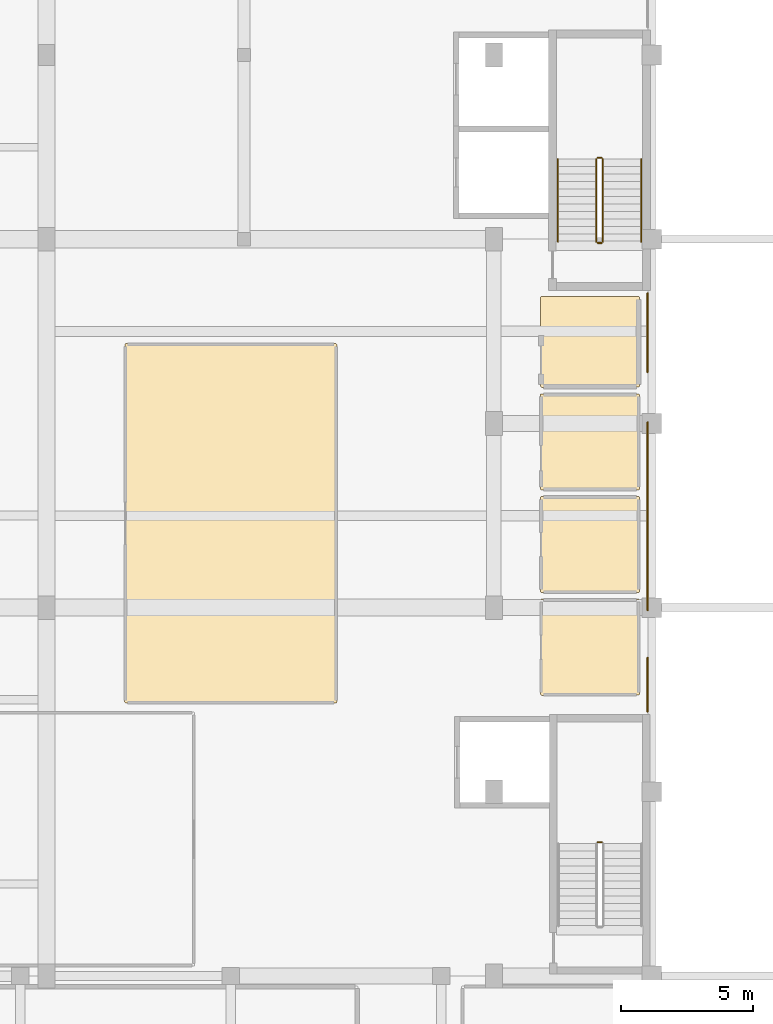
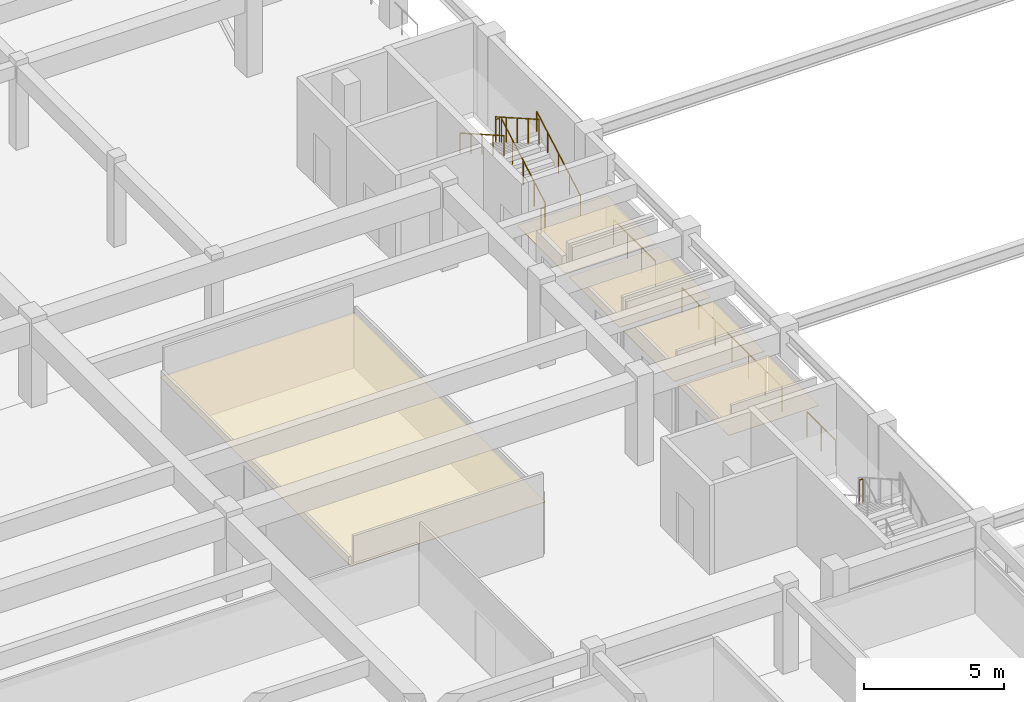
# One storey, part 96 of 98: 10 railings, 5 coverings.
"""IFC4 building model written with IfcOpenShell, lengths in metres."""

from ifc_helpers import new_model, si_unit, direction, frame, origin, origin_2d, place, context, subcontext, project, spatial, polyline, circle, outline, extrude, material, layer, layer_set, type_object, element, save


model = new_model("IFC4")

# Units and contexts
model_context = context("Model", 3, precision=1e-05, world=origin(), true_north=direction((0.0, 1.0)))
body_context = subcontext(model_context, "Body", "Model", "MODEL_VIEW")
ifc_project = project(units=[si_unit("LENGTHUNIT", "METRE"), si_unit("AREAUNIT", "SQUARE_METRE"), si_unit("VOLUMEUNIT", "CUBIC_METRE"), si_unit("PLANEANGLEUNIT", "RADIAN"), si_unit("MASSUNIT", "GRAM", prefix="KILO")], contexts=[model_context])

# Site, building, storey
site_placement = place(None, origin())
site = spatial("IfcSite", under=ifc_project, at=site_placement, CompositionType="ELEMENT")
building_placement = place(site_placement, origin())
building = spatial("IfcBuilding", under=site, at=building_placement, Name="Larkveld Mobility Hub", CompositionType="ELEMENT")
storey_placement = place(building_placement, frame((0.0, 0.0, 4.5)))
storey = spatial("IfcBuildingStorey", under=building, at=storey_placement, Name="L01", CompositionType="ELEMENT", Elevation=4.5)

# Coverings
ifc_material_1 = material(Name="Perforated mineral-fibre acoustic ceiling", Category="masonry")
ifc_layer_1 = layer(ifc_material_1, 0.02001953125, Name="Perforated mineral-fibre acoustic ceiling", Category="masonry")
ifc_layer_set_1 = layer_set([ifc_layer_1], Name="Perforated mineral-fibre acoustic ceiling")
covering_type_1 = type_object("IfcCoveringType", Name="CV-CLG-020", PredefinedType="CEILING", material=ifc_layer_set_1)
covering_1_placement = place(storey_placement, frame((0.0, 0.0, 2.330078125)))
element("IfcCovering", 1, at=covering_1_placement, inside=storey, type_object=covering_type_1, Name="Male Public Toilet Acoustic Ceiling 012", PredefinedType="CEILING", context=body_context, shape_type="SweptSolid", body=[
    extrude(outline(polyline([(147.820068359375, 38.669921875), (147.81689453125, 38.669921875), (147.81396484375, 38.6708984375), (147.81103515625, 38.6708984375), (147.80908203125, 38.672119140625), (147.805908203125, 38.674072265625), (147.802978515625, 38.675048828125), (147.801025390625, 38.677001953125), (147.799072265625, 38.678955078125), (147.779052734375, 38.698974609375), (147.777099609375, 38.700927734375), (147.77490234375, 38.702880859375), (147.77392578125, 38.7060546875), (147.77197265625, 38.708984375), (147.77099609375, 38.7109375), (147.77099609375, 38.714111328125), (147.77001953125, 38.717041015625), (147.77001953125, 38.719970703125), (147.77587890625, 42.2939453125), (147.77587890625, 42.297119140625), (147.77587890625, 42.300048828125), (147.777099609375, 42.302978515625), (147.778076171875, 42.305908203125), (147.779052734375, 42.30810546875), (147.781005859375, 42.31103515625), (147.782958984375, 42.31298828125), (147.784912109375, 42.31494140625), (147.787109375, 42.31689453125), (147.7890625, 42.319091796875), (147.7919921875, 42.321044921875), (147.7939453125, 42.322021484375), (147.797119140625, 42.322998046875), (147.800048828125, 42.323974609375), (147.802978515625, 42.323974609375), (147.805908203125, 42.323974609375), (151.493896484375, 42.323974609375), (151.4970703125, 42.323974609375), (151.5, 42.323974609375), (151.5029296875, 42.322998046875), (151.506103515625, 42.322021484375), (151.508056640625, 42.321044921875), (151.510986328125, 42.319091796875), (151.512939453125, 42.31689453125), (151.514892578125, 42.31494140625), (151.51708984375, 42.31298828125), (151.51904296875, 42.31103515625), (151.52099609375, 42.30810546875), (151.52197265625, 42.305908203125), (151.52294921875, 42.302978515625), (151.52392578125, 42.300048828125), (151.52392578125, 42.297119140625), (151.52392578125, 42.2939453125), (151.52392578125, 38.7060546875), (151.52392578125, 38.702880859375), (151.52392578125, 38.699951171875), (151.52294921875, 38.697021484375), (151.52197265625, 38.694091796875), (151.52099609375, 38.69189453125), (151.51904296875, 38.68896484375), (151.51708984375, 38.68701171875), (151.514892578125, 38.68505859375), (151.512939453125, 38.68310546875), (151.510986328125, 38.680908203125), (151.508056640625, 38.678955078125), (151.506103515625, 38.677978515625), (151.5029296875, 38.677001953125), (151.5, 38.676025390625), (151.4970703125, 38.676025390625), (151.493896484375, 38.676025390625), (147.820068359375, 38.669921875)])), origin(), (0.0, 0.0, 1.0), 0.02001953125),
])
covering_2_placement = place(storey_placement, frame((0.0, 0.0, 2.330078125)))
element("IfcCovering", 2, at=covering_2_placement, inside=storey, type_object=covering_type_1, Name="Accessible Unisex Toilet Acoustic Ceiling 014", PredefinedType="CEILING", context=body_context, shape_type="SweptSolid", body=[
    extrude(outline(polyline([(147.820068359375, 46.469970703125), (147.81689453125, 46.469970703125), (147.81396484375, 46.470947265625), (147.81103515625, 46.470947265625), (147.80908203125, 46.471923828125), (147.805908203125, 46.47412109375), (147.802978515625, 46.47509765625), (147.801025390625, 46.47705078125), (147.799072265625, 46.47900390625), (147.779052734375, 46.4990234375), (147.777099609375, 46.5009765625), (147.77490234375, 46.5029296875), (147.77392578125, 46.506103515625), (147.77197265625, 46.509033203125), (147.77099609375, 46.510986328125), (147.77099609375, 46.513916015625), (147.77001953125, 46.51708984375), (147.77001953125, 46.52001953125), (147.77587890625, 50.093994140625), (147.77587890625, 50.096923828125), (147.77587890625, 50.10009765625), (147.777099609375, 50.10302734375), (147.778076171875, 50.10595703125), (147.779052734375, 50.10791015625), (147.781005859375, 50.111083984375), (147.782958984375, 50.113037109375), (147.784912109375, 50.114990234375), (147.787109375, 50.116943359375), (147.7890625, 50.118896484375), (147.7919921875, 50.12109375), (147.7939453125, 50.1220703125), (147.797119140625, 50.123046875), (147.800048828125, 50.1240234375), (147.802978515625, 50.1240234375), (147.805908203125, 50.1240234375), (151.493896484375, 50.1240234375), (151.4970703125, 50.1240234375), (151.5, 50.1240234375), (151.5029296875, 50.123046875), (151.506103515625, 50.1220703125), (151.508056640625, 50.12109375), (151.510986328125, 50.118896484375), (151.512939453125, 50.116943359375), (151.514892578125, 50.114990234375), (151.51708984375, 50.113037109375), (151.51904296875, 50.111083984375), (151.52099609375, 50.10791015625), (151.52197265625, 50.10595703125), (151.52294921875, 50.10302734375), (151.52392578125, 50.10009765625), (151.52392578125, 50.096923828125), (151.52392578125, 50.093994140625), (151.52392578125, 46.506103515625), (151.52392578125, 46.5029296875), (151.52392578125, 46.5), (151.52294921875, 46.4970703125), (151.52197265625, 46.493896484375), (151.52099609375, 46.491943359375), (151.51904296875, 46.489013671875), (151.51708984375, 46.487060546875), (151.514892578125, 46.485107421875), (151.512939453125, 46.48291015625), (151.510986328125, 46.48095703125), (151.508056640625, 46.47900390625), (151.506103515625, 46.47802734375), (151.5029296875, 46.47705078125), (151.5, 46.47607421875), (151.4970703125, 46.47607421875), (151.493896484375, 46.47607421875), (147.820068359375, 46.469970703125)])), origin(), (0.0, 0.0, 1.0), 0.02001953125),
])
ifc_material_2 = material(Name="Moisture-resistant gypsum board ceiling", Category="masonry")
ifc_layer_2 = layer(ifc_material_2, 0.02490234375, Name="Moisture-resistant gypsum board ceiling", Category="masonry")
ifc_layer_set_2 = layer_set([ifc_layer_2], Name="Moisture-resistant gypsum board ceiling")
covering_type_2 = type_object("IfcCoveringType", Name="CV-CLG-025", PredefinedType="CEILING", material=ifc_layer_set_2)
covering_3_placement = place(storey_placement, frame((0.0, 0.0, 2.324951171875)))
element("IfcCovering", 3, at=covering_3_placement, inside=storey, type_object=covering_type_2, Name="Female Public Toilet Acoustic Ceiling 013", PredefinedType="CEILING", context=body_context, shape_type="SweptSolid", body=[
    extrude(outline(polyline([(147.820068359375, 42.570068359375), (147.81689453125, 42.570068359375), (147.81396484375, 42.571044921875), (147.81103515625, 42.571044921875), (147.80908203125, 42.572021484375), (147.805908203125, 42.573974609375), (147.802978515625, 42.574951171875), (147.801025390625, 42.576904296875), (147.799072265625, 42.5791015625), (147.779052734375, 42.59912109375), (147.777099609375, 42.60107421875), (147.77490234375, 42.60302734375), (147.77392578125, 42.60595703125), (147.77197265625, 42.60888671875), (147.77099609375, 42.611083984375), (147.77099609375, 42.614013671875), (147.77001953125, 42.616943359375), (147.77001953125, 42.6201171875), (147.77587890625, 46.194091796875), (147.77587890625, 46.197021484375), (147.77587890625, 46.199951171875), (147.777099609375, 46.202880859375), (147.778076171875, 46.2060546875), (147.779052734375, 46.2080078125), (147.781005859375, 46.2109375), (147.782958984375, 46.212890625), (147.784912109375, 46.215087890625), (147.787109375, 46.217041015625), (147.7890625, 46.218994140625), (147.7919921875, 46.220947265625), (147.7939453125, 46.221923828125), (147.797119140625, 46.222900390625), (147.800048828125, 46.22412109375), (147.802978515625, 46.22412109375), (147.805908203125, 46.22412109375), (151.493896484375, 46.22412109375), (151.4970703125, 46.22412109375), (151.5, 46.22412109375), (151.5029296875, 46.222900390625), (151.506103515625, 46.221923828125), (151.508056640625, 46.220947265625), (151.510986328125, 46.218994140625), (151.512939453125, 46.217041015625), (151.514892578125, 46.215087890625), (151.51708984375, 46.212890625), (151.51904296875, 46.2109375), (151.52099609375, 46.2080078125), (151.52197265625, 46.2060546875), (151.52294921875, 46.202880859375), (151.52392578125, 46.199951171875), (151.52392578125, 46.197021484375), (151.52392578125, 46.194091796875), (151.52392578125, 42.60595703125), (151.52392578125, 42.60302734375), (151.52392578125, 42.60009765625), (151.52294921875, 42.596923828125), (151.52197265625, 42.593994140625), (151.52099609375, 42.592041015625), (151.51904296875, 42.589111328125), (151.51708984375, 42.5869140625), (151.514892578125, 42.5849609375), (151.512939453125, 42.5830078125), (151.510986328125, 42.5810546875), (151.508056640625, 42.5791015625), (151.506103515625, 42.577880859375), (151.5029296875, 42.576904296875), (151.5, 42.575927734375), (151.4970703125, 42.575927734375), (151.493896484375, 42.575927734375), (147.820068359375, 42.570068359375)])), origin(), (0.0, 0.0, 1.0), 0.025146484375),
])
covering_4_placement = place(storey_placement, frame((0.0, 0.0, 2.324951171875)))
element("IfcCovering", 4, at=covering_4_placement, inside=storey, type_object=covering_type_2, Name="Cleaners Store Room Acoustic Ceiling 015", PredefinedType="CEILING", context=body_context, shape_type="SweptSolid", body=[
    extrude(outline(polyline([(147.820068359375, 50.3701171875), (147.81689453125, 50.3701171875), (147.81396484375, 50.37109375), (147.81103515625, 50.37109375), (147.80908203125, 50.3720703125), (147.805908203125, 50.3740234375), (147.802978515625, 50.375), (147.801025390625, 50.376953125), (147.799072265625, 50.37890625), (147.779052734375, 50.39892578125), (147.777099609375, 50.40087890625), (147.77490234375, 50.403076171875), (147.77392578125, 50.406005859375), (147.77197265625, 50.408935546875), (147.77099609375, 50.410888671875), (147.77099609375, 50.4140625), (147.77001953125, 50.4169921875), (147.77001953125, 50.419921875), (147.77587890625, 53.7939453125), (147.77587890625, 53.797119140625), (147.77587890625, 53.800048828125), (147.777099609375, 53.802978515625), (147.778076171875, 53.805908203125), (147.779052734375, 53.80810546875), (147.781005859375, 53.81103515625), (147.782958984375, 53.81298828125), (147.784912109375, 53.81494140625), (147.787109375, 53.81689453125), (147.7890625, 53.819091796875), (147.7919921875, 53.821044921875), (147.7939453125, 53.822021484375), (147.797119140625, 53.822998046875), (147.800048828125, 53.823974609375), (147.802978515625, 53.823974609375), (147.805908203125, 53.823974609375), (151.493896484375, 53.823974609375), (151.4970703125, 53.823974609375), (151.5, 53.823974609375), (151.5029296875, 53.822998046875), (151.506103515625, 53.822021484375), (151.508056640625, 53.821044921875), (151.510986328125, 53.819091796875), (151.512939453125, 53.81689453125), (151.514892578125, 53.81494140625), (151.51708984375, 53.81298828125), (151.51904296875, 53.81103515625), (151.52099609375, 53.80810546875), (151.52197265625, 53.805908203125), (151.52294921875, 53.802978515625), (151.52392578125, 53.800048828125), (151.52392578125, 53.797119140625), (151.52392578125, 53.7939453125), (151.52392578125, 50.406005859375), (151.52392578125, 50.403076171875), (151.52392578125, 50.39990234375), (151.52294921875, 50.39697265625), (151.52197265625, 50.39404296875), (151.52099609375, 50.39208984375), (151.51904296875, 50.388916015625), (151.51708984375, 50.386962890625), (151.514892578125, 50.385009765625), (151.512939453125, 50.383056640625), (151.510986328125, 50.381103515625), (151.508056640625, 50.37890625), (151.506103515625, 50.3779296875), (151.5029296875, 50.376953125), (151.5, 50.3759765625), (151.4970703125, 50.3759765625), (151.493896484375, 50.3759765625), (147.820068359375, 50.3701171875)])), origin(), (0.0, 0.0, 1.0), 0.025146484375),
])
covering_5_placement = place(storey_placement, frame((0.0, 0.0, 2.324951171875)))
element("IfcCovering", 5, at=covering_5_placement, inside=storey, type_object=covering_type_2, Name="Transit Convenience Kiosk and Pharmacy Acoustic Ceiling 017", PredefinedType="CEILING", context=body_context, shape_type="SweptSolid", body=[
    extrude(outline(polyline([(132.02001953125, 38.3701171875), (132.01708984375, 38.3701171875), (132.013916015625, 38.37109375), (132.010986328125, 38.37109375), (132.009033203125, 38.3720703125), (132.006103515625, 38.3740234375), (132.0029296875, 38.375), (132.0009765625, 38.376953125), (131.9990234375, 38.37890625), (131.97900390625, 38.39892578125), (131.97705078125, 38.40087890625), (131.97509765625, 38.403076171875), (131.97412109375, 38.406005859375), (131.971923828125, 38.408935546875), (131.970947265625, 38.410888671875), (131.970947265625, 38.4140625), (131.969970703125, 38.4169921875), (131.969970703125, 38.419921875), (131.971923828125, 51.989013671875), (131.972900390625, 51.992919921875), (131.972900390625, 51.99609375), (131.97412109375, 51.9990234375), (131.97509765625, 52.0009765625), (131.97607421875, 52.00390625), (131.97802734375, 52.007080078125), (131.97998046875, 52.009033203125), (131.98193359375, 52.010986328125), (131.98388671875, 52.012939453125), (131.987060546875, 52.014892578125), (132.0048828125, 52.02587890625), (132.007080078125, 52.027099609375), (132.009033203125, 52.028076171875), (132.011962890625, 52.029052734375), (132.014892578125, 52.030029296875), (132.01708984375, 52.030029296875), (132.02001953125, 52.030029296875), (139.989013671875, 52.028076171875), (139.992919921875, 52.027099609375), (139.99609375, 52.027099609375), (139.9990234375, 52.02587890625), (140.0009765625, 52.02490234375), (140.00390625, 52.02392578125), (140.007080078125, 52.02197265625), (140.009033203125, 52.02001953125), (140.010986328125, 52.01806640625), (140.012939453125, 52.01611328125), (140.014892578125, 52.012939453125), (140.02587890625, 51.9951171875), (140.027099609375, 51.992919921875), (140.028076171875, 51.990966796875), (140.029052734375, 51.988037109375), (140.030029296875, 51.985107421875), (140.030029296875, 51.98291015625), (140.030029296875, 51.97998046875), (140.028076171875, 38.410888671875), (140.027099609375, 38.406982421875), (140.027099609375, 38.404052734375), (140.02587890625, 38.40087890625), (140.02490234375, 38.39892578125), (140.02392578125, 38.39599609375), (140.02197265625, 38.39306640625), (140.02001953125, 38.39111328125), (140.01806640625, 38.388916015625), (140.01611328125, 38.386962890625), (140.012939453125, 38.385009765625), (139.9951171875, 38.3740234375), (139.992919921875, 38.373046875), (139.989990234375, 38.3720703125), (139.986083984375, 38.37109375), (139.98291015625, 38.3701171875), (139.97998046875, 38.3701171875), (132.02001953125, 38.3701171875)])), origin(), (0.0, 0.0, 1.0), 0.025146484375),
])

# Railings
ifc_material_3 = material(Name="Galvanized Steel S355JR balustrade", Category="steel")
railing_type_1 = type_object("IfcRailingType", Name="RL-GRD-1100", PredefinedType="GUARDRAIL", material=ifc_material_3)
railing_1_placement = place(storey_placement, frame((150.10009765625, 33.0849609375, 1.949951171875)))
element("IfcRailing", 6, at=railing_1_placement, inside=storey, type_object=railing_type_1, Name="L01 ST1 stair guard 2", PredefinedType="GUARDRAIL", context=body_context, shape_type="SweptSolid", body=[
    extrude(circle(Radius=0.02392578125, at=origin_2d()), frame((0.0, 0.0, 1.076171875), z_axis=(-1.0, 0.0, 0.0), x_axis=(0.0, -1.0, 0.0)), (0.0, 0.0, 1.0), 0.150146484375),
    extrude(circle(Radius=0.02099609375, at=origin_2d()), origin(), (0.0, 0.0, 1.0), 1.052001953125),
    extrude(circle(Radius=0.02099609375, at=origin_2d()), frame((-0.150146484375, 0.0, 0.0)), (0.0, 0.0, 1.0), 1.052001953125),
])
railing_2_placement = place(storey_placement, frame((150.139892578125, 55.909912109375, 0.16259765625)))
element("IfcRailing", 7, at=railing_2_placement, inside=storey, type_object=railing_type_1, Name="L01 ST2 stair guard 1", PredefinedType="GUARDRAIL", context=body_context, shape_type="SweptSolid", body=[
    extrude(circle(Radius=0.02392578125, at=origin_2d()), frame((0.0, 0.0, 1.076171875), z_axis=(0.0, 0.868729823959, 0.495286273749), x_axis=(-1.0, 0.0, 0.0)), (0.0, 0.0, 1.0), 3.608642578125),
    extrude(circle(Radius=0.02099609375, at=origin_2d()), origin(), (0.0, 0.0, 1.0), 1.052001953125),
    extrude(circle(Radius=0.02099609375, at=origin_2d()), frame((0.0, 0.78369140625, 0.44677734375)), (0.0, 0.0, 1.0), 1.052001953125),
    extrude(circle(Radius=0.02099609375, at=origin_2d()), frame((0.0, 1.5673828125, 0.8935546875)), (0.0, 0.0, 1.0), 1.052001953125),
    extrude(circle(Radius=0.02099609375, at=origin_2d()), frame((0.0, 2.351318359375, 1.340576171875)), (0.0, 0.0, 1.0), 1.052001953125),
    extrude(circle(Radius=0.02099609375, at=origin_2d()), frame((0.0, 3.135009765625, 1.787353515625)), (0.0, 0.0, 1.0), 1.052001953125),
])
railing_3_placement = place(storey_placement, frame((150.090087890625, 59.094970703125, 1.949951171875)))
element("IfcRailing", 8, at=railing_3_placement, inside=storey, type_object=railing_type_1, Name="L01 ST2 stair guard 2", PredefinedType="GUARDRAIL", context=body_context, shape_type="SweptSolid", body=[
    extrude(circle(Radius=0.02392578125, at=origin_2d()), frame((0.0, 0.0, 1.076171875), z_axis=(-1.0, 0.0, 0.0), x_axis=(0.0, -1.0, 0.0)), (0.0, 0.0, 1.0), 0.150146484375),
    extrude(circle(Radius=0.02099609375, at=origin_2d()), origin(), (0.0, 0.0, 1.0), 1.052001953125),
    extrude(circle(Radius=0.02099609375, at=origin_2d()), frame((-0.150146484375, 0.0, 0.0)), (0.0, 0.0, 1.0), 1.052001953125),
])
railing_4_placement = place(storey_placement, frame((149.889892578125, 59.044921875, 2.112548828125)))
element("IfcRailing", 9, at=railing_4_placement, inside=storey, type_object=railing_type_1, Name="L01 ST2 stair guard 3", PredefinedType="GUARDRAIL", context=body_context, shape_type="SweptSolid", body=[
    extrude(circle(Radius=0.02392578125, at=origin_2d()), frame((0.0, 0.0, 1.076171875), z_axis=(0.0, -0.868729823959, 0.495286273749), x_axis=(1.0, 0.0, 0.0)), (0.0, 0.0, 1.0), 3.608642578125),
    extrude(circle(Radius=0.02099609375, at=origin_2d()), origin(), (0.0, 0.0, 1.0), 1.052001953125),
    extrude(circle(Radius=0.02099609375, at=origin_2d()), frame((0.0, -0.78369140625, 0.44677734375)), (0.0, 0.0, 1.0), 1.052001953125),
    extrude(circle(Radius=0.02099609375, at=origin_2d()), frame((0.0, -1.5673828125, 0.8935546875)), (0.0, 0.0, 1.0), 1.052001953125),
    extrude(circle(Radius=0.02099609375, at=origin_2d()), frame((0.0, -2.351318359375, 1.340576171875)), (0.0, 0.0, 1.0), 1.052001953125),
    extrude(circle(Radius=0.02099609375, at=origin_2d()), frame((0.0, -3.135009765625, 1.787353515625)), (0.0, 0.0, 1.0), 1.052001953125),
])
railing_5_placement = place(storey_placement, frame((150.090087890625, 55.860107421875, 0.0)))
element("IfcRailing", 10, at=railing_5_placement, inside=storey, type_object=railing_type_1, Name="L01 ST2 stair guard 4", PredefinedType="GUARDRAIL", context=body_context, shape_type="SweptSolid", body=[
    extrude(circle(Radius=0.02392578125, at=origin_2d()), frame((0.0, 0.0, 1.076171875), z_axis=(-1.0, 0.0, 0.0), x_axis=(0.0, -1.0, 0.0)), (0.0, 0.0, 1.0), 0.150146484375),
    extrude(circle(Radius=0.02099609375, at=origin_2d()), origin(), (0.0, 0.0, 1.0), 1.052001953125),
    extrude(circle(Radius=0.02099609375, at=origin_2d()), frame((-0.150146484375, 0.0, 0.0)), (0.0, 0.0, 1.0), 1.052001953125),
])
ifc_material_4 = material(Name="Galvanized Steel S355JR void balustrade", Category="steel")
railing_type_2 = type_object("IfcRailingType", Name="RL-GRD-1120", PredefinedType="GUARDRAIL", material=ifc_material_4)
railing_6_placement = place(storey_placement, frame((151.840087890625, 38.050048828125, 0.0)))
element("IfcRailing", 11, at=railing_6_placement, inside=storey, type_object=railing_type_2, Name="Bus Hall Overlook Guard Seg 1 L01-068", PredefinedType="GUARDRAIL", context=body_context, shape_type="SweptSolid", body=[
    extrude(circle(Radius=0.02392578125, at=origin_2d()), frame((0.0, 0.0, 1.09619140625), z_axis=(0.0, 1.0, 0.0), x_axis=(-1.0, 0.0, 0.0)), (0.0, 0.0, 1.0), 2.050048828125),
    extrude(circle(Radius=0.02099609375, at=origin_2d()), origin(), (0.0, 0.0, 1.0), 1.072021484375),
    extrude(circle(Radius=0.02099609375, at=origin_2d()), frame((0.0, 1.02490234375, 0.0)), (0.0, 0.0, 1.0), 1.072021484375),
    extrude(circle(Radius=0.02099609375, at=origin_2d()), frame((0.0, 2.050048828125, 0.0)), (0.0, 0.0, 1.0), 1.072021484375),
])
railing_7_placement = place(storey_placement, frame((151.840087890625, 41.89990234375, 0.0)))
element("IfcRailing", 12, at=railing_7_placement, inside=storey, type_object=railing_type_2, Name="Bus Hall Overlook Guard Seg 2 L01-069", PredefinedType="GUARDRAIL", context=body_context, shape_type="SweptSolid", body=[
    extrude(circle(Radius=0.02392578125, at=origin_2d()), frame((0.0, 0.0, 1.09619140625), z_axis=(0.0, 1.0, 0.0), x_axis=(-1.0, 0.0, 0.0)), (0.0, 0.0, 1.0), 7.150146484375),
    extrude(circle(Radius=0.02099609375, at=origin_2d()), origin(), (0.0, 0.0, 1.0), 1.072021484375),
    extrude(circle(Radius=0.02099609375, at=origin_2d()), frame((0.0, 1.191650390625, 0.0)), (0.0, 0.0, 1.0), 1.072021484375),
    extrude(circle(Radius=0.02099609375, at=origin_2d()), frame((0.0, 2.38330078125, 0.0)), (0.0, 0.0, 1.0), 1.072021484375),
    extrude(circle(Radius=0.02099609375, at=origin_2d()), frame((0.0, 3.5751953125, 0.0)), (0.0, 0.0, 1.0), 1.072021484375),
    extrude(circle(Radius=0.02099609375, at=origin_2d()), frame((0.0, 4.766845703125, 0.0)), (0.0, 0.0, 1.0), 1.072021484375),
    extrude(circle(Radius=0.02099609375, at=origin_2d()), frame((0.0, 5.95849609375, 0.0)), (0.0, 0.0, 1.0), 1.072021484375),
    extrude(circle(Radius=0.02099609375, at=origin_2d()), frame((0.0, 7.150146484375, 0.0)), (0.0, 0.0, 1.0), 1.072021484375),
])
railing_8_placement = place(storey_placement, frame((151.840087890625, 50.949951171875, 0.0)))
element("IfcRailing", 13, at=railing_8_placement, inside=storey, type_object=railing_type_2, Name="Bus Hall Overlook Guard Seg 3 L01-070", PredefinedType="GUARDRAIL", context=body_context, shape_type="SweptSolid", body=[
    extrude(circle(Radius=0.02392578125, at=origin_2d()), frame((0.0, 0.0, 1.09619140625), z_axis=(0.0, 1.0, 0.0), x_axis=(-1.0, 0.0, 0.0)), (0.0, 0.0, 1.0), 3.0),
    extrude(circle(Radius=0.02099609375, at=origin_2d()), origin(), (0.0, 0.0, 1.0), 1.072021484375),
    extrude(circle(Radius=0.02099609375, at=origin_2d()), frame((0.0, 1.0, 0.0)), (0.0, 0.0, 1.0), 1.072021484375),
    extrude(circle(Radius=0.02099609375, at=origin_2d()), frame((0.0, 2.0, 0.0)), (0.0, 0.0, 1.0), 1.072021484375),
    extrude(circle(Radius=0.02099609375, at=origin_2d()), frame((0.0, 3.0, 0.0)), (0.0, 0.0, 1.0), 1.072021484375),
])
ifc_material_5 = material(Name="Brushed Steel S355JR tubular handrail", Category="steel")
railing_type_3 = type_object("IfcRailingType", Name="RL-HND-0900", PredefinedType="HANDRAIL", material=ifc_material_5)
railing_9_placement = place(storey_placement, frame((151.60009765625, 55.909912109375, 0.16259765625)))
element("IfcRailing", 14, at=railing_9_placement, inside=storey, type_object=railing_type_3, Name="L01 ST2 stair handrail 1", PredefinedType="HANDRAIL", context=body_context, shape_type="SweptSolid", body=[
    extrude(circle(Radius=0.02392578125, at=origin_2d()), frame((0.0, 0.0, 0.8759765625), z_axis=(0.0, 0.868729823959, 0.495286273749), x_axis=(-1.0, 0.0, 0.0)), (0.0, 0.0, 1.0), 3.608642578125),
    extrude(circle(Radius=0.02099609375, at=origin_2d()), origin(), (0.0, 0.0, 1.0), 0.851806640625),
    extrude(circle(Radius=0.02099609375, at=origin_2d()), frame((0.0, 0.78369140625, 0.44677734375)), (0.0, 0.0, 1.0), 0.851806640625),
    extrude(circle(Radius=0.02099609375, at=origin_2d()), frame((0.0, 1.5673828125, 0.8935546875)), (0.0, 0.0, 1.0), 0.851806640625),
    extrude(circle(Radius=0.02099609375, at=origin_2d()), frame((0.0, 2.351318359375, 1.340576171875)), (0.0, 0.0, 1.0), 0.851806640625),
    extrude(circle(Radius=0.02099609375, at=origin_2d()), frame((0.0, 3.135009765625, 1.787353515625)), (0.0, 0.0, 1.0), 0.851806640625),
])
railing_10_placement = place(storey_placement, frame((148.429931640625, 59.044921875, 2.112548828125)))
element("IfcRailing", 15, at=railing_10_placement, inside=storey, type_object=railing_type_3, Name="L01 ST2 stair handrail 2", PredefinedType="HANDRAIL", context=body_context, shape_type="SweptSolid", body=[
    extrude(circle(Radius=0.02392578125, at=origin_2d()), frame((0.0, 0.0, 0.8759765625), z_axis=(0.0, -0.868729823959, 0.495286273749), x_axis=(1.0, 0.0, 0.0)), (0.0, 0.0, 1.0), 3.608642578125),
    extrude(circle(Radius=0.02099609375, at=origin_2d()), origin(), (0.0, 0.0, 1.0), 0.851806640625),
    extrude(circle(Radius=0.02099609375, at=origin_2d()), frame((0.0, -0.78369140625, 0.44677734375)), (0.0, 0.0, 1.0), 0.851806640625),
    extrude(circle(Radius=0.02099609375, at=origin_2d()), frame((0.0, -1.5673828125, 0.8935546875)), (0.0, 0.0, 1.0), 0.851806640625),
    extrude(circle(Radius=0.02099609375, at=origin_2d()), frame((0.0, -2.351318359375, 1.340576171875)), (0.0, 0.0, 1.0), 0.851806640625),
    extrude(circle(Radius=0.02099609375, at=origin_2d()), frame((0.0, -3.135009765625, 1.787353515625)), (0.0, 0.0, 1.0), 0.851806640625),
])

save(model, "model.ifc")
